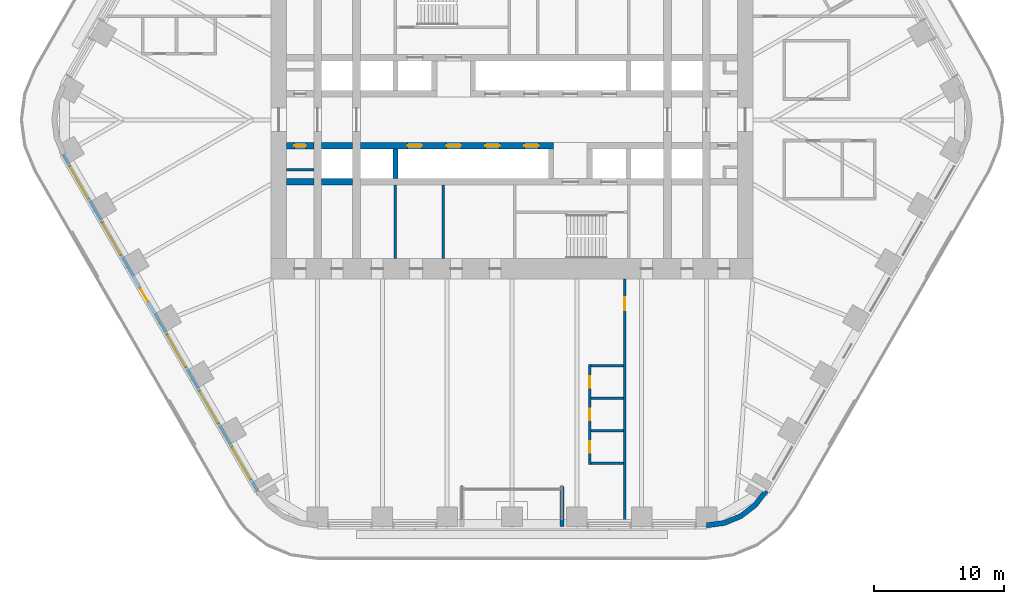
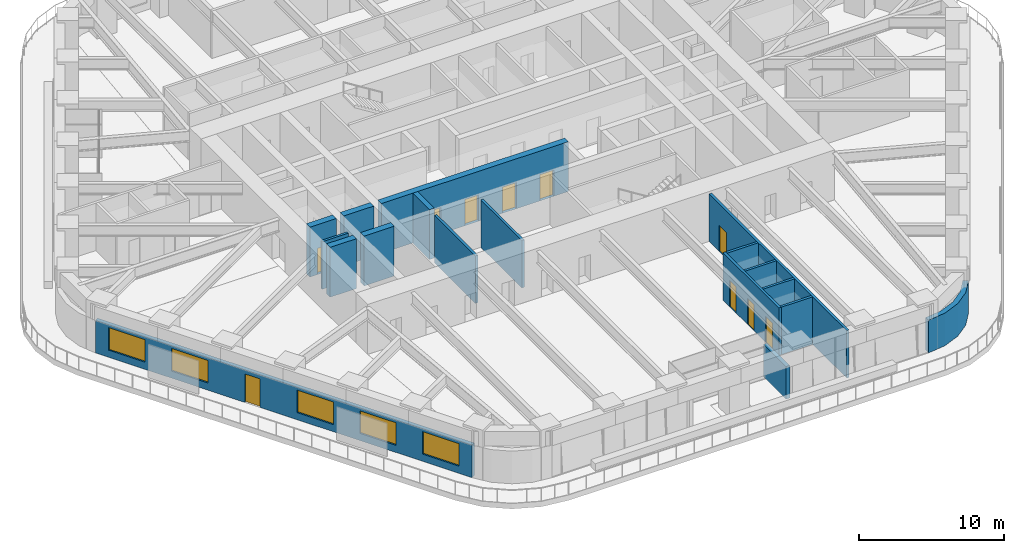
# One storey, part 17 of 24: 18 walls, 10 doors, 5 windows, 15 openings.
"""IFC4 building model written with IfcOpenShell, lengths in metres."""

from ifc_helpers import new_model, si_unit, direction, frame, frame_2d, origin, place, context, subcontext, project, spatial, polyline, rectangle, outline, extrude, material, layer, layer_set, type_object, element, fill, save


model = new_model("IFC4")

# Units and contexts
model_context = context("Model", 3, precision=1e-05, world=origin(), true_north=direction((0.0, 1.0)))
body_context = subcontext(model_context, "Body", "Model", "MODEL_VIEW")
ifc_project = project(units=[si_unit("LENGTHUNIT", "METRE"), si_unit("AREAUNIT", "SQUARE_METRE"), si_unit("VOLUMEUNIT", "CUBIC_METRE"), si_unit("PLANEANGLEUNIT", "RADIAN"), si_unit("MASSUNIT", "GRAM", prefix="KILO")], contexts=[model_context])

# Site, building, storey
site_placement = place(None, origin())
site = spatial("IfcSite", under=ifc_project, at=site_placement, CompositionType="ELEMENT")
building_placement = place(site_placement, origin())
building = spatial("IfcBuilding", under=site, at=building_placement, Name="Tarfa Lantern Tower", CompositionType="ELEMENT")
storey_placement = place(building_placement, frame((0.0, 0.0, 140.5)))
storey = spatial("IfcBuildingStorey", under=building, at=storey_placement, Name="L31", CompositionType="ELEMENT", Elevation=140.5)

# Wall, openings, door, windows
ifc_material_1 = material(Name="Limestone cladding on blockwork", Category="masonry")
ifc_layer_1 = layer(ifc_material_1, 0.300048828125)
ifc_layer_set_1 = layer_set([ifc_layer_1], Name="EW1 STONE-CLAD WALL 300")
wall_type_1 = type_object("IfcWallType", Name="EW1 STONE-CLAD WALL 300", PredefinedType="SOLIDWALL", material=ifc_layer_set_1)
wall_1_placement = place(storey_placement, frame((-34.655517578125, -2.675048828125, 0.0), z_axis=(0.0, 0.0, 1.0), x_axis=(0.500003084452, -0.866023622968, 0.0)))
wall_1 = element("IfcWall", 1, at=wall_1_placement, inside=storey, type_object=wall_type_1, Name="Stone wall SW", PredefinedType="SOLIDWALL", context=body_context, shape_type="SweptSolid", body=[
    extrude(rectangle(XDim=30.022216796875, YDim=0.300048828125, at=frame_2d((15.01123046875, 0.0))), origin(), (0.0, 0.0, 1.0), 2.75),
])
opening_1_placement = place(wall_1_placement, frame((1.0517578125, 0.0, 0.60009765625)))
opening_1 = element("IfcOpeningElement", 2, at=opening_1_placement, cuts=wall_1, Name="Opening W9", PredefinedType="OPENING", context=body_context, shape_type="SweptSolid", body=[
    extrude(rectangle(XDim=2.89990234375, YDim=1.89990234375, at=frame_2d((1.449951171875, 0.949951171875))), frame((0.0, 0.159912109375, 0.0), z_axis=(0.0, -1.0, 0.0), x_axis=(1.0, 0.0, 0.0)), (0.0, 0.0, 1.0), 0.320068359375),
])
opening_2_placement = place(wall_1_placement, frame((6.0556640625, 0.0, 0.60009765625)))
opening_2 = element("IfcOpeningElement", 3, at=opening_2_placement, cuts=wall_1, Name="Opening W9", PredefinedType="OPENING", context=body_context, shape_type="SweptSolid", body=[
    extrude(rectangle(XDim=2.89990234375, YDim=1.89990234375, at=frame_2d((1.449951171875, 0.949951171875))), frame((0.0, 0.159912109375, 0.0), z_axis=(0.0, -1.0, 0.0), x_axis=(1.0, 0.0, 0.0)), (0.0, 0.0, 1.0), 0.320068359375),
])
opening_3_placement = place(wall_1_placement, frame((11.9091796875, 0.0, 0.0)))
opening_3 = element("IfcOpeningElement", 4, at=opening_3_placement, cuts=wall_1, Name="Opening D51", PredefinedType="OPENING", context=body_context, shape_type="SweptSolid", body=[
    extrude(rectangle(XDim=1.199951171875, YDim=2.39990234375, at=frame_2d((0.60009765625, 1.199951171875))), frame((0.0, 0.159912109375, 0.0), z_axis=(0.0, -1.0, 0.0), x_axis=(1.0, 0.0, 0.0)), (0.0, 0.0, 1.0), 0.320068359375),
])
opening_4_placement = place(wall_1_placement, frame((16.06298828125, 0.0, 0.60009765625)))
opening_4 = element("IfcOpeningElement", 5, at=opening_4_placement, cuts=wall_1, Name="Opening W9", PredefinedType="OPENING", context=body_context, shape_type="SweptSolid", body=[
    extrude(rectangle(XDim=2.89990234375, YDim=1.89990234375, at=frame_2d((1.449951171875, 0.949951171875))), frame((0.0, 0.159912109375, 0.0), z_axis=(0.0, -1.0, 0.0), x_axis=(1.0, 0.0, 0.0)), (0.0, 0.0, 1.0), 0.320068359375),
])
opening_5_placement = place(wall_1_placement, frame((21.066650390625, 0.0, 0.60009765625)))
opening_5 = element("IfcOpeningElement", 6, at=opening_5_placement, cuts=wall_1, Name="Opening W9", PredefinedType="OPENING", context=body_context, shape_type="SweptSolid", body=[
    extrude(rectangle(XDim=2.89990234375, YDim=1.89990234375, at=frame_2d((1.449951171875, 0.949951171875))), frame((0.0, 0.159912109375, 0.0), z_axis=(0.0, -1.0, 0.0), x_axis=(1.0, 0.0, 0.0)), (0.0, 0.0, 1.0), 0.320068359375),
])
opening_6_placement = place(wall_1_placement, frame((26.0703125, 0.0, 0.60009765625)))
opening_6 = element("IfcOpeningElement", 7, at=opening_6_placement, cuts=wall_1, Name="Opening W9", PredefinedType="OPENING", context=body_context, shape_type="SweptSolid", body=[
    extrude(rectangle(XDim=2.89990234375, YDim=1.89990234375, at=frame_2d((1.449951171875, 0.949951171875))), frame((0.0, 0.159912109375, 0.0), z_axis=(0.0, -1.0, 0.0), x_axis=(1.0, 0.0, 0.0)), (0.0, 0.0, 1.0), 0.320068359375),
])
ifc_material_2 = material(Name="Aluminium framed glazed door", Category="aluminium")
door_type_1 = type_object("IfcDoorType", Name="BE3 BALCONY DOOR 1200x2400", OperationType="SINGLE_SWING_RIGHT", PredefinedType="DOOR", material=ifc_material_2)
door_1_placement = place(opening_3_placement, origin())
door_1 = element("IfcDoor", 8, at=door_1_placement, inside=storey, type_object=door_type_1, Name="Balcony door SW", OperationType="SINGLE_SWING_RIGHT", OverallHeight=2.39990234375, OverallWidth=1.199951171875, PredefinedType="DOOR", context=body_context, shape_type="SweptSolid", body=[
    extrude(rectangle(XDim=1.199951171875, YDim=2.39990234375, at=frame_2d((0.60009765625, 1.199951171875))), frame((0.0, 0.02490234375, 0.0), z_axis=(0.0, -1.0, 0.0), x_axis=(1.0, 0.0, 0.0)), (0.0, 0.0, 1.0), 0.050048828125),
])
fill(opening_3, door_1)
ifc_material_3 = material(Name="Aluminium frame, double glazed", Category="aluminium")
window_type = type_object("IfcWindowType", Name="W9 FULL-HEIGHT GLAZING 2900x1900", PartitioningType="SINGLE_PANEL", PredefinedType="WINDOW", material=ifc_material_3)
window_1_placement = place(opening_1_placement, origin())
window_1 = element("IfcWindow", 9, at=window_1_placement, inside=storey, type_object=window_type, Name="Window SW 1", OverallHeight=1.89990234375, OverallWidth=2.89990234375, PartitioningType="SINGLE_PANEL", PredefinedType="WINDOW", context=body_context, shape_type="SweptSolid", body=[
    extrude(rectangle(XDim=2.89990234375, YDim=1.89990234375, at=frame_2d((1.449951171875, 0.949951171875))), frame((0.0, 0.030029296875, 0.0), z_axis=(0.0, -1.0, 0.0), x_axis=(1.0, 0.0, 0.0)), (0.0, 0.0, 1.0), 0.06005859375),
])
fill(opening_1, window_1)
window_2_placement = place(opening_2_placement, origin())
window_2 = element("IfcWindow", 10, at=window_2_placement, inside=storey, type_object=window_type, Name="Window SW 2", OverallHeight=1.89990234375, OverallWidth=2.89990234375, PartitioningType="SINGLE_PANEL", PredefinedType="WINDOW", context=body_context, shape_type="SweptSolid", body=[
    extrude(rectangle(XDim=2.89990234375, YDim=1.89990234375, at=frame_2d((1.449951171875, 0.949951171875))), frame((0.0, 0.030029296875, 0.0), z_axis=(0.0, -1.0, 0.0), x_axis=(1.0, 0.0, 0.0)), (0.0, 0.0, 1.0), 0.06005859375),
])
fill(opening_2, window_2)
window_3_placement = place(opening_4_placement, origin())
window_3 = element("IfcWindow", 11, at=window_3_placement, inside=storey, type_object=window_type, Name="Window SW 4", OverallHeight=1.89990234375, OverallWidth=2.89990234375, PartitioningType="SINGLE_PANEL", PredefinedType="WINDOW", context=body_context, shape_type="SweptSolid", body=[
    extrude(rectangle(XDim=2.89990234375, YDim=1.89990234375, at=frame_2d((1.449951171875, 0.949951171875))), frame((0.0, 0.030029296875, 0.0), z_axis=(0.0, -1.0, 0.0), x_axis=(1.0, 0.0, 0.0)), (0.0, 0.0, 1.0), 0.06005859375),
])
fill(opening_4, window_3)
window_4_placement = place(opening_5_placement, origin())
window_4 = element("IfcWindow", 12, at=window_4_placement, inside=storey, type_object=window_type, Name="Window SW 5", OverallHeight=1.89990234375, OverallWidth=2.89990234375, PartitioningType="SINGLE_PANEL", PredefinedType="WINDOW", context=body_context, shape_type="SweptSolid", body=[
    extrude(rectangle(XDim=2.89990234375, YDim=1.89990234375, at=frame_2d((1.449951171875, 0.949951171875))), frame((0.0, 0.030029296875, 0.0), z_axis=(0.0, -1.0, 0.0), x_axis=(1.0, 0.0, 0.0)), (0.0, 0.0, 1.0), 0.06005859375),
])
fill(opening_5, window_4)
window_5_placement = place(opening_6_placement, origin())
window_5 = element("IfcWindow", 13, at=window_5_placement, inside=storey, type_object=window_type, Name="Window SW 6", OverallHeight=1.89990234375, OverallWidth=2.89990234375, PartitioningType="SINGLE_PANEL", PredefinedType="WINDOW", context=body_context, shape_type="SweptSolid", body=[
    extrude(rectangle(XDim=2.89990234375, YDim=1.89990234375, at=frame_2d((1.449951171875, 0.949951171875))), frame((0.0, 0.030029296875, 0.0), z_axis=(0.0, -1.0, 0.0), x_axis=(1.0, 0.0, 0.0)), (0.0, 0.0, 1.0), 0.06005859375),
])
fill(opening_6, window_5)

# Walls
wall_2_placement = place(storey_placement, frame((3.853759765625, -31.39990234375, 0.0), z_axis=(0.0, 0.0, 1.0), x_axis=(0.0, 1.0, 0.0)))
element("IfcWall", 14, at=wall_2_placement, inside=storey, type_object=wall_type_1, Name="Loggia return S 2", PredefinedType="SOLIDWALL", context=body_context, shape_type="SweptSolid", body=[
    extrude(rectangle(XDim=3.099853515625, YDim=0.300048828125, at=frame_2d((1.5498046875, 0.0))), origin(), (0.0, 0.0, 1.0), 2.75),
])
ifc_layer_2 = layer(ifc_material_1, 0.39990234375)
ifc_layer_set_2 = layer_set([ifc_layer_2], Name="EW2 CURVED STONE CORNER 400")
wall_type_2 = type_object("IfcWallType", Name="EW2 CURVED STONE CORNER 400", PredefinedType="SOLIDWALL", material=ifc_layer_set_2)
wall_3_placement = place(storey_placement, origin())
element("IfcWall", 15, at=wall_3_placement, inside=storey, type_object=wall_type_2, Name="Stone corner S-SE", PredefinedType="SOLIDWALL", context=body_context, shape_type="SweptSolid", body=[
    extrude(outline(polyline([(15.010986328125, -31.5), (16.4345703125, -31.3125), (17.760986328125, -30.76318359375), (18.900146484375, -29.88916015625), (19.774169921875, -28.75), (19.427734375, -28.550048828125), (18.617431640625, -29.606201171875), (17.56103515625, -30.416748046875), (16.3310546875, -30.92626953125), (15.010986328125, -31.10009765625), (15.010986328125, -31.5)])), origin(), (0.0, 0.0, 1.0), 2.75),
])
ifc_material_4 = material(Name="Concrete blockwork", Category="masonry")
ifc_layer_3 = layer(ifc_material_4, 0.199951171875)
ifc_layer_set_3 = layer_set([ifc_layer_3], Name="IW1 BLOCKWORK PARTITION 200 EI 120")
wall_type_3 = type_object("IfcWallType", Name="IW1 BLOCKWORK PARTITION 200 EI 120", PredefinedType="PARTITIONING", material=ifc_layer_set_3)
for number, where, z_axis, x_axis, name in (
    (16, (-9.0, -5.050048828125, 0.0), (0.0, 0.0, 1.0), (0.0, -1.0, 0.0), "Core partition"),
    (17, (-5.300048828125, -5.050048828125, 0.0), (0.0, 0.0, 1.0), (0.0, -1.0, 0.0), "Core partition"),
):
    element("IfcWall", number, at=place(storey_placement, frame(where, z_axis=z_axis, x_axis=x_axis)), inside=storey, type_object=wall_type_3, Name=name, PredefinedType="PARTITIONING", context=body_context, shape_type="SweptSolid", body=[
        extrude(rectangle(XDim=5.64990234375, YDim=0.199951171875, at=frame_2d((2.824951171875, 0.0))), origin(), (0.0, 0.0, 1.0), 4.0),
    ])
wall_4_placement = place(storey_placement, frame((-15.300048828125, -3.85009765625, 0.0), z_axis=(0.0, 0.0, 1.0), x_axis=(-1.0, 0.0, 0.0)))
element("IfcWall", 18, at=wall_4_placement, inside=storey, type_object=wall_type_3, Name="Core partition", PredefinedType="PARTITIONING", context=body_context, shape_type="SweptSolid", body=[
    extrude(rectangle(XDim=2.099853515625, YDim=0.199951171875, at=frame_2d((1.0498046875, 0.0))), origin(), (0.0, 0.0, 1.0), 4.0),
])

# Wall, opening, door
ifc_material_5 = material(Name="Gypsum board on steel studs", Category="steel")
ifc_layer_4 = layer(ifc_material_5, 0.2099609375)
ifc_layer_set_4 = layer_set([ifc_layer_4], Name="IW2 ACOUSTIC PARTITION 200")
wall_type_4 = type_object("IfcWallType", Name="IW2 ACOUSTIC PARTITION 200", PredefinedType="PARTITIONING", material=ifc_layer_set_4)
wall_5_placement = place(storey_placement, frame((8.699951171875, -12.300048828125, 0.0), z_axis=(0.0, 0.0, 1.0), x_axis=(0.0, -1.0, 0.0)))
wall_5 = element("IfcWall", 19, at=wall_5_placement, inside=storey, type_object=wall_type_4, Name="Partition", PredefinedType="PARTITIONING", context=body_context, shape_type="SweptSolid", body=[
    extrude(rectangle(XDim=19.0, YDim=0.199951171875, at=frame_2d((9.5, 0.0))), origin(), (0.0, 0.0, 1.0), 4.0),
])
opening_7_placement = place(wall_5_placement, frame((1.39990234375, 0.0, 0.0)))
opening_7 = element("IfcOpeningElement", 20, at=opening_7_placement, cuts=wall_5, Name="Opening D47", PredefinedType="OPENING", context=body_context, shape_type="SweptSolid", body=[
    extrude(rectangle(XDim=1.0, YDim=2.199951171875, at=frame_2d((0.5, 1.10009765625))), frame((0.0, 0.10986328125, 0.0), z_axis=(0.0, -1.0, 0.0), x_axis=(1.0, 0.0, 0.0)), (0.0, 0.0, 1.0), 0.219970703125),
])
ifc_material_6 = material(Name="Timber door", Category="wood")
door_type_2 = type_object("IfcDoorType", Name="DR1 ROOM DOOR 1000x2200", OperationType="SINGLE_SWING_LEFT", PredefinedType="DOOR", material=ifc_material_6)
door_2_placement = place(opening_7_placement, origin())
door_2 = element("IfcDoor", 21, at=door_2_placement, inside=storey, type_object=door_type_2, Name="Zone door", OperationType="SINGLE_SWING_RIGHT", OverallHeight=2.199951171875, OverallWidth=1.0, PredefinedType="DOOR", context=body_context, shape_type="SweptSolid", body=[
    extrude(rectangle(XDim=1.0, YDim=2.199951171875, at=frame_2d((0.5, 1.10009765625))), frame((0.0, 0.02490234375, 0.0), z_axis=(0.0, -1.0, 0.0), x_axis=(1.0, 0.0, 0.0)), (0.0, 0.0, 1.0), 0.050048828125),
])
fill(opening_7, door_2)

# Wall, openings, doors
wall_6_placement = place(storey_placement, frame((6.0, -18.89990234375, 0.0), z_axis=(0.0, 0.0, 1.0), x_axis=(0.0, -1.0, 0.0)))
wall_6 = element("IfcWall", 22, at=wall_6_placement, inside=storey, type_object=wall_type_4, Name="Partition", PredefinedType="PARTITIONING", context=body_context, shape_type="SweptSolid", body=[
    extrude(rectangle(XDim=7.7001953125, YDim=0.199951171875, at=frame_2d((3.85009765625, 0.0))), origin(), (0.0, 0.0, 1.0), 4.0),
])
opening_8_placement = place(wall_6_placement, frame((0.89990234375, 0.0, 0.0)))
opening_8 = element("IfcOpeningElement", 23, at=opening_8_placement, cuts=wall_6, Name="Opening D43", PredefinedType="OPENING", context=body_context, shape_type="SweptSolid", body=[
    extrude(rectangle(XDim=0.89990234375, YDim=2.199951171875, at=frame_2d((0.449951171875, 1.10009765625))), frame((0.0, 0.10986328125, 0.0), z_axis=(0.0, -1.0, 0.0), x_axis=(1.0, 0.0, 0.0)), (0.0, 0.0, 1.0), 0.219970703125),
])
opening_9_placement = place(wall_6_placement, frame((3.39990234375, 0.0, 0.0)))
opening_9 = element("IfcOpeningElement", 24, at=opening_9_placement, cuts=wall_6, Name="Opening D44", PredefinedType="OPENING", context=body_context, shape_type="SweptSolid", body=[
    extrude(rectangle(XDim=0.89990234375, YDim=2.199951171875, at=frame_2d((0.449951171875, 1.10009765625))), frame((0.0, 0.10986328125, 0.0), z_axis=(0.0, -1.0, 0.0), x_axis=(1.0, 0.0, 0.0)), (0.0, 0.0, 1.0), 0.219970703125),
])
opening_10_placement = place(wall_6_placement, frame((5.89990234375, 0.0, 0.0)))
opening_10 = element("IfcOpeningElement", 25, at=opening_10_placement, cuts=wall_6, Name="Opening D45", PredefinedType="OPENING", context=body_context, shape_type="SweptSolid", body=[
    extrude(rectangle(XDim=0.89990234375, YDim=2.199951171875, at=frame_2d((0.449951171875, 1.10009765625))), frame((0.0, 0.10986328125, 0.0), z_axis=(0.0, -1.0, 0.0), x_axis=(1.0, 0.0, 0.0)), (0.0, 0.0, 1.0), 0.219970703125),
])
door_type_3 = type_object("IfcDoorType", Name="DR3 ROOM DOOR 900x2200", OperationType="SINGLE_SWING_LEFT", PredefinedType="DOOR", material=ifc_material_6)
door_3_placement = place(opening_8_placement, origin())
door_3 = element("IfcDoor", 26, at=door_3_placement, inside=storey, type_object=door_type_3, Name="Focus room door", OperationType="SINGLE_SWING_RIGHT", OverallHeight=2.199951171875, OverallWidth=0.89990234375, PredefinedType="DOOR", context=body_context, shape_type="SweptSolid", body=[
    extrude(rectangle(XDim=0.89990234375, YDim=2.199951171875, at=frame_2d((0.449951171875, 1.10009765625))), frame((0.0, 0.02490234375, 0.0), z_axis=(0.0, -1.0, 0.0), x_axis=(1.0, 0.0, 0.0)), (0.0, 0.0, 1.0), 0.050048828125),
])
fill(opening_8, door_3)
door_4_placement = place(opening_9_placement, origin())
door_4 = element("IfcDoor", 27, at=door_4_placement, inside=storey, type_object=door_type_3, Name="Focus room door", OperationType="SINGLE_SWING_RIGHT", OverallHeight=2.199951171875, OverallWidth=0.89990234375, PredefinedType="DOOR", context=body_context, shape_type="SweptSolid", body=[
    extrude(rectangle(XDim=0.89990234375, YDim=2.199951171875, at=frame_2d((0.449951171875, 1.10009765625))), frame((0.0, 0.02490234375, 0.0), z_axis=(0.0, -1.0, 0.0), x_axis=(1.0, 0.0, 0.0)), (0.0, 0.0, 1.0), 0.050048828125),
])
fill(opening_9, door_4)
door_5_placement = place(opening_10_placement, origin())
door_5 = element("IfcDoor", 28, at=door_5_placement, inside=storey, type_object=door_type_3, Name="Focus room door", OperationType="SINGLE_SWING_LEFT", OverallHeight=2.199951171875, OverallWidth=0.89990234375, PredefinedType="DOOR", context=body_context, shape_type="SweptSolid", body=[
    extrude(rectangle(XDim=0.89990234375, YDim=2.199951171875, at=frame_2d((0.449951171875, 1.10009765625))), frame((0.0, 0.02490234375, 0.0), z_axis=(0.0, -1.0, 0.0), x_axis=(1.0, 0.0, 0.0)), (0.0, 0.0, 1.0), 0.050048828125),
])
fill(opening_10, door_5)

# Walls
for number, where, z_axis, x_axis, name in (
    (29, (8.60009765625, -19.0, 0.0), (0.0, 0.0, 1.0), (-1.0, 0.0, 0.0), "Partition"),
    (30, (8.60009765625, -21.5, 0.0), (0.0, 0.0, 1.0), (-1.0, 0.0, 0.0), "Partition"),
    (31, (8.60009765625, -24.0, 0.0), (0.0, 0.0, 1.0), (-1.0, 0.0, 0.0), "Partition"),
    (32, (8.60009765625, -26.5, 0.0), (0.0, 0.0, 1.0), (-1.0, 0.0, 0.0), "Partition"),
):
    element("IfcWall", number, at=place(storey_placement, frame(where, z_axis=z_axis, x_axis=x_axis)), inside=storey, type_object=wall_type_4, Name=name, PredefinedType="PARTITIONING", context=body_context, shape_type="SweptSolid", body=[
        extrude(rectangle(XDim=2.5, YDim=0.199951171875, at=frame_2d((1.25, 0.0))), origin(), (0.0, 0.0, 1.0), 4.0),
    ])

# Wall, openings, doors
ifc_material_7 = material(Name="Concrete C80/95", Category="concrete")
ifc_layer_5 = layer(ifc_material_7, 0.5)
ifc_layer_set_5 = layer_set([ifc_layer_5], Name="SW5 CORE WALL 500")
wall_type_5 = type_object("IfcWallType", Name="SW5 CORE WALL 500", PredefinedType="SHEAR", material=ifc_layer_set_5)
wall_7_placement = place(storey_placement, frame((3.199951171875, -2.0, 0.0), z_axis=(0.0, 0.0, 1.0), x_axis=(-1.0, 0.0, 0.0)))
wall_7 = element("IfcWall", 33, at=wall_7_placement, inside=storey, type_object=wall_type_5, Name="Core wall lobby east S", PredefinedType="SHEAR", context=body_context, shape_type="SweptSolid", body=[
    extrude(rectangle(XDim=14.89990234375, YDim=0.5, at=frame_2d((7.449951171875, 0.0))), origin(), (0.0, 0.0, 1.0), 4.199951171875),
])
opening_11_placement = place(wall_7_placement, frame((1.14990234375, 0.0, 0.0)))
opening_11 = element("IfcOpeningElement", 34, at=opening_11_placement, cuts=wall_7, Name="Opening LD07", PredefinedType="OPENING", context=body_context, shape_type="SweptSolid", body=[
    extrude(rectangle(XDim=1.10009765625, YDim=2.199951171875, at=frame_2d((0.550048828125, 1.10009765625))), frame((0.0, 0.260009765625, 0.0), z_axis=(0.0, -1.0, 0.0), x_axis=(1.0, 0.0, 0.0)), (0.0, 0.0, 1.0), 0.52001953125),
])
opening_12_placement = place(wall_7_placement, frame((4.14990234375, 0.0, 0.0)))
opening_12 = element("IfcOpeningElement", 35, at=opening_12_placement, cuts=wall_7, Name="Opening LD08", PredefinedType="OPENING", context=body_context, shape_type="SweptSolid", body=[
    extrude(rectangle(XDim=1.10009765625, YDim=2.199951171875, at=frame_2d((0.550048828125, 1.10009765625))), frame((0.0, 0.260009765625, 0.0), z_axis=(0.0, -1.0, 0.0), x_axis=(1.0, 0.0, 0.0)), (0.0, 0.0, 1.0), 0.52001953125),
])
opening_13_placement = place(wall_7_placement, frame((7.14990234375, 0.0, 0.0)))
opening_13 = element("IfcOpeningElement", 36, at=opening_13_placement, cuts=wall_7, Name="Opening LD09", PredefinedType="OPENING", context=body_context, shape_type="SweptSolid", body=[
    extrude(rectangle(XDim=1.10009765625, YDim=2.199951171875, at=frame_2d((0.550048828125, 1.10009765625))), frame((0.0, 0.260009765625, 0.0), z_axis=(0.0, -1.0, 0.0), x_axis=(1.0, 0.0, 0.0)), (0.0, 0.0, 1.0), 0.52001953125),
])
opening_14_placement = place(wall_7_placement, frame((10.14990234375, 0.0, 0.0)))
opening_14 = element("IfcOpeningElement", 37, at=opening_14_placement, cuts=wall_7, Name="Opening LD10", PredefinedType="OPENING", context=body_context, shape_type="SweptSolid", body=[
    extrude(rectangle(XDim=1.10009765625, YDim=2.199951171875, at=frame_2d((0.550048828125, 1.10009765625))), frame((0.0, 0.260009765625, 0.0), z_axis=(0.0, -1.0, 0.0), x_axis=(1.0, 0.0, 0.0)), (0.0, 0.0, 1.0), 0.52001953125),
])
ifc_material_8 = material(Name="Stainless steel lift door", Category="steel")
door_type_4 = type_object("IfcDoorType", Name="LD2 LIFT LANDING DOOR 1100x2200", OperationType="SLIDING_TO_LEFT", PredefinedType="DOOR", material=ifc_material_8)
door_6_placement = place(opening_11_placement, frame((1.10009765625, 0.0, 0.0), z_axis=(0.0, 0.0, 1.0), x_axis=(-1.0, 0.0, 0.0)))
door_6 = element("IfcDoor", 38, at=door_6_placement, inside=storey, type_object=door_type_4, Name="Landing door PB5", OperationType="SLIDING_TO_LEFT", OverallHeight=2.199951171875, OverallWidth=1.10009765625, PredefinedType="DOOR", context=body_context, shape_type="SweptSolid", body=[
    extrude(rectangle(XDim=1.10009765625, YDim=2.199951171875, at=frame_2d((0.550048828125, 1.10009765625))), frame((0.0, 0.02490234375, 0.0), z_axis=(0.0, -1.0, 0.0), x_axis=(1.0, 0.0, 0.0)), (0.0, 0.0, 1.0), 0.050048828125),
])
fill(opening_11, door_6)
door_7_placement = place(opening_12_placement, frame((1.10009765625, 0.0, 0.0), z_axis=(0.0, 0.0, 1.0), x_axis=(-1.0, 0.0, 0.0)))
door_7 = element("IfcDoor", 39, at=door_7_placement, inside=storey, type_object=door_type_4, Name="Landing door PB6", OperationType="SLIDING_TO_LEFT", OverallHeight=2.199951171875, OverallWidth=1.10009765625, PredefinedType="DOOR", context=body_context, shape_type="SweptSolid", body=[
    extrude(rectangle(XDim=1.10009765625, YDim=2.199951171875, at=frame_2d((0.550048828125, 1.10009765625))), frame((0.0, 0.02490234375, 0.0), z_axis=(0.0, -1.0, 0.0), x_axis=(1.0, 0.0, 0.0)), (0.0, 0.0, 1.0), 0.050048828125),
])
fill(opening_12, door_7)
door_8_placement = place(opening_13_placement, frame((1.10009765625, 0.0, 0.0), z_axis=(0.0, 0.0, 1.0), x_axis=(-1.0, 0.0, 0.0)))
door_8 = element("IfcDoor", 40, at=door_8_placement, inside=storey, type_object=door_type_4, Name="Landing door PB7", OperationType="SLIDING_TO_LEFT", OverallHeight=2.199951171875, OverallWidth=1.10009765625, PredefinedType="DOOR", context=body_context, shape_type="SweptSolid", body=[
    extrude(rectangle(XDim=1.10009765625, YDim=2.199951171875, at=frame_2d((0.550048828125, 1.10009765625))), frame((0.0, 0.02490234375, 0.0), z_axis=(0.0, -1.0, 0.0), x_axis=(1.0, 0.0, 0.0)), (0.0, 0.0, 1.0), 0.050048828125),
])
fill(opening_13, door_8)
door_9_placement = place(opening_14_placement, frame((1.10009765625, 0.0, 0.0), z_axis=(0.0, 0.0, 1.0), x_axis=(-1.0, 0.0, 0.0)))
door_9 = element("IfcDoor", 41, at=door_9_placement, inside=storey, type_object=door_type_4, Name="Landing door PB8", OperationType="SLIDING_TO_LEFT", OverallHeight=2.199951171875, OverallWidth=1.10009765625, PredefinedType="DOOR", context=body_context, shape_type="SweptSolid", body=[
    extrude(rectangle(XDim=1.10009765625, YDim=2.199951171875, at=frame_2d((0.550048828125, 1.10009765625))), frame((0.0, 0.02490234375, 0.0), z_axis=(0.0, -1.0, 0.0), x_axis=(1.0, 0.0, 0.0)), (0.0, 0.0, 1.0), 0.050048828125),
])
fill(opening_14, door_9)

# Wall
wall_8_placement = place(storey_placement, frame((-12.300048828125, -2.0, 0.0), z_axis=(0.0, 0.0, 1.0), x_axis=(-1.0, 0.0, 0.0)))
element("IfcWall", 42, at=wall_8_placement, inside=storey, type_object=wall_type_5, Name="Core wall lobby east S", PredefinedType="SHEAR", context=body_context, shape_type="SweptSolid", body=[
    extrude(rectangle(XDim=2.39990234375, YDim=0.5, at=frame_2d((1.199951171875, 0.0))), origin(), (0.0, 0.0, 1.0), 4.199951171875),
])

# Wall, opening, door
wall_9_placement = place(storey_placement, frame((-15.300048828125, -2.0, 0.0), z_axis=(0.0, 0.0, 1.0), x_axis=(-1.0, 0.0, 0.0)))
wall_9 = element("IfcWall", 43, at=wall_9_placement, inside=storey, type_object=wall_type_5, Name="Core wall lobby east S", PredefinedType="SHEAR", context=body_context, shape_type="SweptSolid", body=[
    extrude(rectangle(XDim=2.099853515625, YDim=0.5, at=frame_2d((1.0498046875, 0.0))), origin(), (0.0, 0.0, 1.0), 4.199951171875),
])
opening_15_placement = place(wall_9_placement, frame((0.60009765625, 0.0, 0.0)))
opening_15 = element("IfcOpeningElement", 44, at=opening_15_placement, cuts=wall_9, Name="Opening D18", PredefinedType="OPENING", context=body_context, shape_type="SweptSolid", body=[
    extrude(rectangle(XDim=0.89990234375, YDim=2.199951171875, at=frame_2d((0.449951171875, 1.10009765625))), frame((0.0, 0.260009765625, 0.0), z_axis=(0.0, -1.0, 0.0), x_axis=(1.0, 0.0, 0.0)), (0.0, 0.0, 1.0), 0.52001953125),
])
ifc_material_9 = material(Name="Steel fire door", Category="steel")
door_type_5 = type_object("IfcDoorType", Name="DF6 SERVICE ROOM DOOR 900x2200", OperationType="SINGLE_SWING_LEFT", PredefinedType="DOOR", material=ifc_material_9)
door_10_placement = place(opening_15_placement, origin())
door_10 = element("IfcDoor", 45, at=door_10_placement, inside=storey, type_object=door_type_5, Name="Service room door", OperationType="SINGLE_SWING_LEFT", OverallHeight=2.199951171875, OverallWidth=0.89990234375, PredefinedType="DOOR", context=body_context, shape_type="SweptSolid", body=[
    extrude(rectangle(XDim=0.89990234375, YDim=2.199951171875, at=frame_2d((0.449951171875, 1.10009765625))), frame((0.0, 0.02490234375, 0.0), z_axis=(0.0, -1.0, 0.0), x_axis=(1.0, 0.0, 0.0)), (0.0, 0.0, 1.0), 0.050048828125),
])
fill(opening_15, door_10)

# Walls
wall_10_placement = place(storey_placement, frame((-12.300048828125, -4.800048828125, 0.0), z_axis=(0.0, 0.0, 1.0), x_axis=(-1.0, 0.0, 0.0)))
element("IfcWall", 46, at=wall_10_placement, inside=storey, type_object=wall_type_5, Name="Core wall rear S", PredefinedType="SHEAR", context=body_context, shape_type="SweptSolid", body=[
    extrude(rectangle(XDim=2.39990234375, YDim=0.5, at=frame_2d((1.199951171875, 0.0))), origin(), (0.0, 0.0, 1.0), 4.199951171875),
])
wall_11_placement = place(storey_placement, frame((-15.300048828125, -4.800048828125, 0.0), z_axis=(0.0, 0.0, 1.0), x_axis=(-1.0, 0.0, 0.0)))
element("IfcWall", 47, at=wall_11_placement, inside=storey, type_object=wall_type_5, Name="Core wall rear S", PredefinedType="SHEAR", context=body_context, shape_type="SweptSolid", body=[
    extrude(rectangle(XDim=2.099853515625, YDim=0.5, at=frame_2d((1.0498046875, 0.0))), origin(), (0.0, 0.0, 1.0), 4.199951171875),
])
ifc_layer_6 = layer(ifc_material_7, 0.39990234375)
ifc_layer_set_6 = layer_set([ifc_layer_6], Name="SW6 CORE WALL 400")
wall_type_6 = type_object("IfcWallType", Name="SW6 CORE WALL 400", PredefinedType="SHEAR", material=ifc_layer_set_6)
wall_12_placement = place(storey_placement, frame((-9.0, -2.25, 0.0), z_axis=(0.0, 0.0, 1.0), x_axis=(0.0, -1.0, 0.0)))
element("IfcWall", 48, at=wall_12_placement, inside=storey, type_object=wall_type_6, Name="Core wall divider S", PredefinedType="SHEAR", context=body_context, shape_type="SweptSolid", body=[
    extrude(rectangle(XDim=2.300048828125, YDim=0.39990234375, at=frame_2d((1.14990234375, 0.0))), origin(), (0.0, 0.0, 1.0), 4.199951171875),
])

save(model, "model.ifc")
